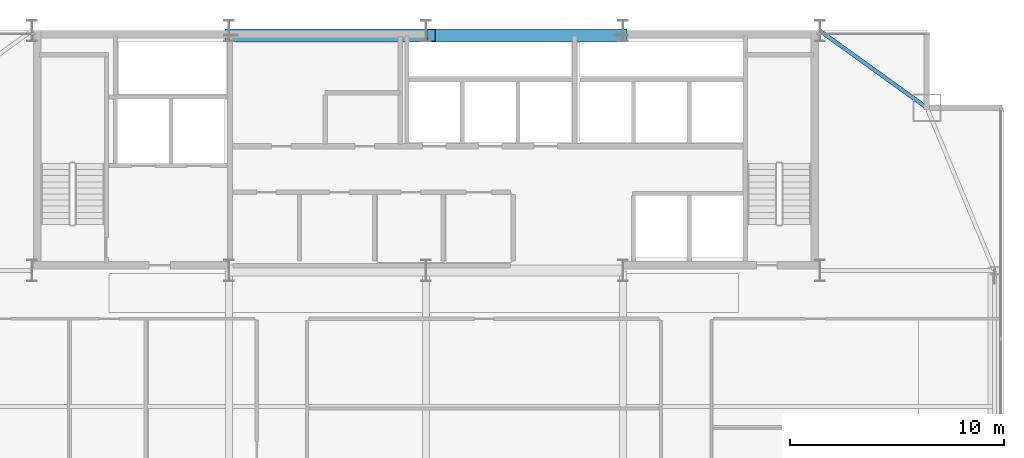
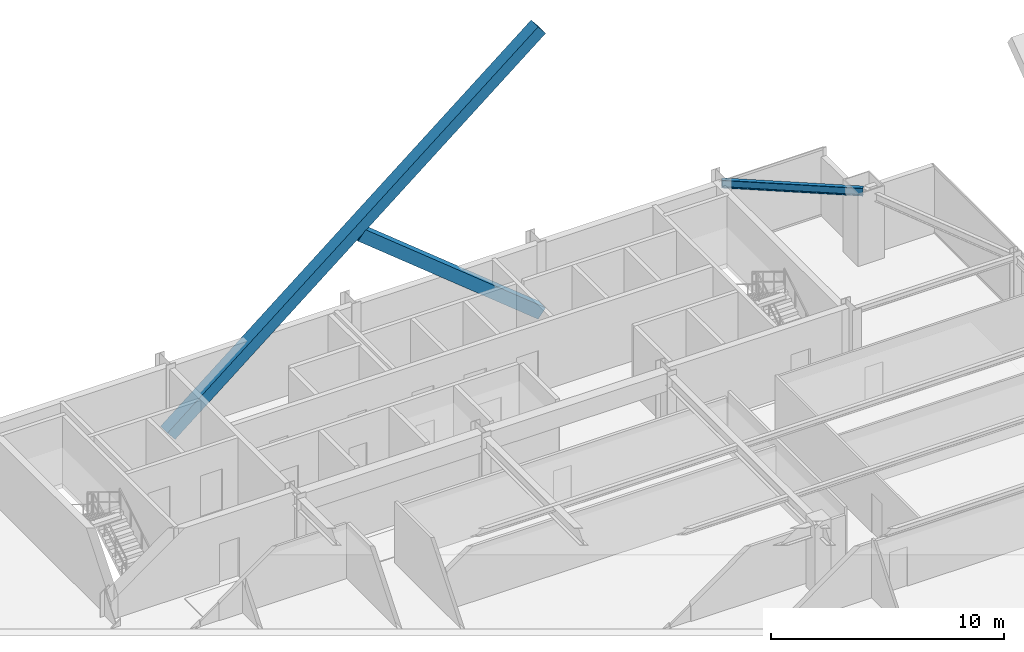
# One storey, part 23 of 34: 2 members, 1 beam.
"""IFC4 building model written with IfcOpenShell, lengths in metres."""

from ifc_helpers import new_model, si_unit, direction, frame, origin, origin_2d, place, context, subcontext, project, spatial, hollow_rectangle, i_section, extrude, source, transform, mapped, material, material_profile, profile_set, type_object, type_shapes, element, save


model = new_model("IFC4")

# Units and contexts
model_context = context("Model", 3, precision=1e-05, world=origin(), true_north=direction((0.0, 1.0)))
body_context = subcontext(model_context, "Body", "Model", "MODEL_VIEW")
ifc_project = project(units=[si_unit("LENGTHUNIT", "METRE"), si_unit("AREAUNIT", "SQUARE_METRE"), si_unit("VOLUMEUNIT", "CUBIC_METRE"), si_unit("PLANEANGLEUNIT", "RADIAN"), si_unit("MASSUNIT", "GRAM", prefix="KILO")], contexts=[model_context])

# Site, building, storey
site_placement = place(None, origin())
site = spatial("IfcSite", under=ifc_project, at=site_placement, CompositionType="ELEMENT")
building_placement = place(site_placement, origin())
building = spatial("IfcBuilding", under=site, at=building_placement, Name="Varnel Quay Broadcast Tower", CompositionType="ELEMENT")
storey_placement = place(building_placement, frame((0.0, 0.0, 176.199951171875)))
storey = spatial("IfcBuildingStorey", under=building, at=storey_placement, Name="L43", CompositionType="ELEMENT", Elevation=176.199951171875)

# Beam
ifc_material_1 = material(Name="Structural Steel CSA G40.21 350W", Category="steel")
ifc_material_profile_1 = material_profile(ifc_material_1, i_section(OverallWidth=0.180908203125, OverallDepth=0.4169921875, WebThickness=0.010986328125, FlangeThickness=0.018310546875, FilletRadius=0.011962890625, at=origin_2d()), Name="W410X85")
ifc_profile_set_1 = profile_set([ifc_material_profile_1], Name="Structural Steel CSA G40.21 350W")
beam_type = type_object("IfcBeamType", Name="Beam_W410X85", PredefinedType="SPANDREL", material=ifc_profile_set_1)
shared_shape_1 = source(origin(), body_context, "Body", "SweptSolid", [
    extrude(i_section(OverallWidth=0.180908203125, OverallDepth=0.4169921875, WebThickness=0.010986328125, FlangeThickness=0.018310546875, FilletRadius=0.011962890625, at=origin_2d()), origin(), (0.0, 0.0, 1.0), 6.12109375),
])
type_shapes(beam_type, [shared_shape_1])
beam_placement = place(storey_placement, frame((52.416259765625, 46.788330078125, 3.341552734375), z_axis=(0.811531315425, -0.584308928637, 0.0), x_axis=(0.584308928637, 0.811531315425, 0.0)))
element("IfcBeam", 1, at=beam_placement, inside=storey, type_object=beam_type, Name="L43 NE Tie Spandrel", PredefinedType="SPANDREL", context=body_context, shape_type="MappedRepresentation", body=[
    mapped(shared_shape_1, transform((0.0, 0.0, 0.0), x_axis=(1.0, 0.0, 0.0), y_axis=(0.0, 1.0, 0.0), z_axis=(0.0, 0.0, 1.0), scale=1.0)),
])

# Members
ifc_material_2 = material(Name="Structural Steel CSA G40.21 350WT", Category="steel")
ifc_material_profile_2 = material_profile(ifc_material_2, hollow_rectangle(XDim=0.60009765625, YDim=0.60009765625, WallThickness=0.028076171875, at=origin_2d()), Name="BOX600X600X28")
ifc_profile_set_2 = profile_set([ifc_material_profile_2], Name="Structural Steel CSA G40.21 350WT")
member_type = type_object("IfcMemberType", Name="Brace_BOX600X600X28", PredefinedType="BRACE", material=ifc_profile_set_2)
shared_shape_2 = source(origin(), body_context, "Body", "SweptSolid", [
    extrude(hollow_rectangle(XDim=0.60009765625, YDim=0.60009765625, WallThickness=0.028076171875, at=origin_2d()), origin(), (0.0, 0.0, 1.0), 23.663818359375),
])
member_1_placement = place(storey_placement, frame((24.800048828125, 46.580078125, 0.02001953125), z_axis=(0.777555432497, 0.0, 0.628814399799), x_axis=(0.0, 1.0, 0.0)))
element("IfcMember", 2, at=member_1_placement, inside=storey, type_object=member_type, Name="Zone 3 Mega-Brace N-CT3 Continuous Diag A", PredefinedType="BRACE", context=body_context, shape_type="MappedRepresentation", body=[
    mapped(shared_shape_2, transform((0.0, 0.0, 0.0), x_axis=(1.0, 0.0, 0.0), y_axis=(0.0, 1.0, 0.0), z_axis=(0.0, 0.0, 1.0), scale=1.0)),
])
shared_shape_3 = source(origin(), body_context, "Body", "SweptSolid", [
    extrude(hollow_rectangle(XDim=0.60009765625, YDim=0.60009765625, WallThickness=0.028076171875, at=origin_2d()), origin(), (0.0, 0.0, 1.0), 11.5),
])
type_shapes(member_type, [shared_shape_2, shared_shape_3])
member_2_placement = place(storey_placement, frame((43.199951171875, 46.580078125, 0.02001953125), z_axis=(-0.77755228598, 0.0, 0.628818290579), x_axis=(0.0, -1.0, 0.0)))
element("IfcMember", 3, at=member_2_placement, inside=storey, type_object=member_type, Name="Zone 3 Mega-Brace N-CT3 Split Diag B1", PredefinedType="BRACE", context=body_context, shape_type="MappedRepresentation", body=[
    mapped(shared_shape_3, transform((0.0, 0.0, 0.0), x_axis=(1.0, 0.0, 0.0), y_axis=(0.0, 1.0, 0.0), z_axis=(0.0, 0.0, 1.0), scale=1.0)),
])

save(model, "model.ifc")
